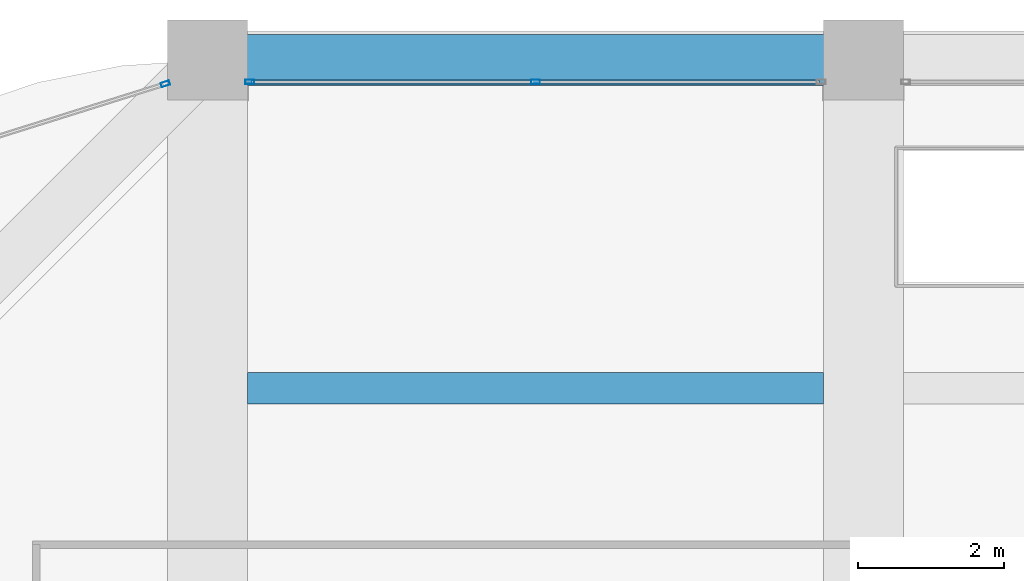
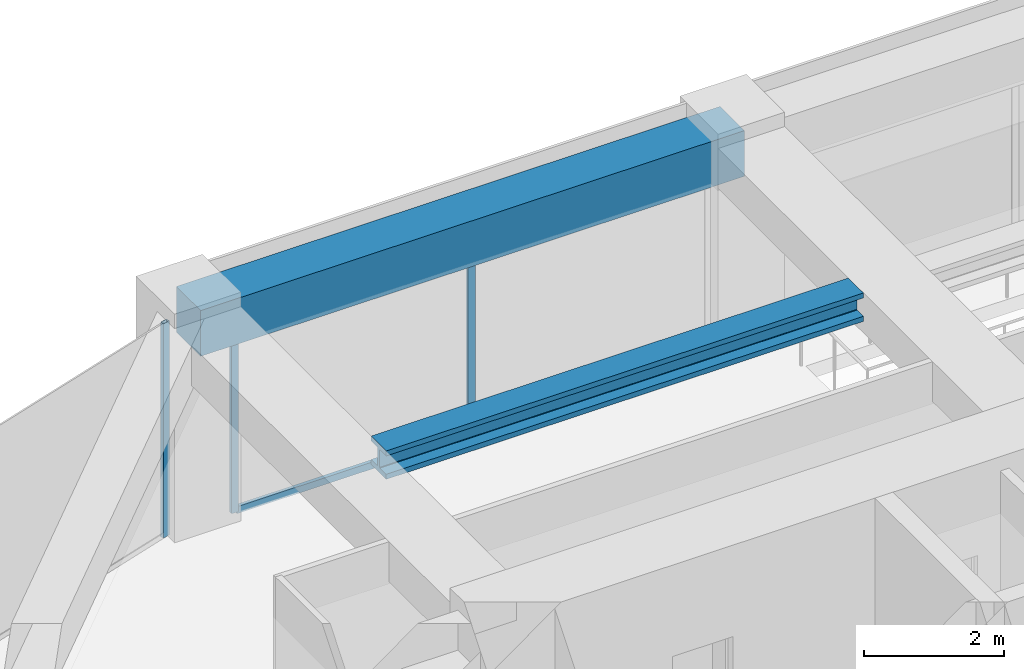
# One storey, part 31 of 44: 4 members, 2 beams, 2 elements without a shape of their own.
"""IFC4 building model written with IfcOpenShell, lengths in metres."""

from ifc_helpers import new_model, si_unit, direction, frame, origin, origin_2d, place, context, subcontext, project, spatial, rectangle, hollow_rectangle, i_section, extrude, material, material_profile, profile_set, type_object, element, aggregate, save


model = new_model("IFC4")

# Units and contexts
model_context = context("Model", 3, precision=1e-05, world=origin(), true_north=direction((0.0, 1.0)))
body_context = subcontext(model_context, "Body", "Model", "MODEL_VIEW")
ifc_project = project(units=[si_unit("LENGTHUNIT", "METRE"), si_unit("AREAUNIT", "SQUARE_METRE"), si_unit("VOLUMEUNIT", "CUBIC_METRE"), si_unit("PLANEANGLEUNIT", "RADIAN"), si_unit("MASSUNIT", "GRAM", prefix="KILO")], contexts=[model_context])

# Site, building, storey
site_placement = place(None, origin())
site = spatial("IfcSite", under=ifc_project, at=site_placement, CompositionType="ELEMENT")
building_placement = place(site_placement, origin())
building = spatial("IfcBuilding", under=site, at=building_placement, Name="Zorevar Civic Tower", CompositionType="ELEMENT")
storey_placement = place(building_placement, frame((0.0, 0.0, 295.39990234375)))
storey = spatial("IfcBuildingStorey", under=building, at=storey_placement, Name="L72", CompositionType="ELEMENT", Elevation=295.39990234375)

# Curtain wall, members
ifc_material_1 = material(Name="Dark grey solar-control glass in black aluminium frame", Category="aluminium")
curtain_wall_type = type_object("IfcCurtainWallType", Name="Curtain wall CW5 top zone", PredefinedType="NOTDEFINED", material=ifc_material_1)
curtain_wall_1_placement = place(storey_placement, origin())
curtain_wall_1 = element("IfcCurtainWall", 1, at=curtain_wall_1_placement, inside=storey, type_object=curtain_wall_type, Name="CW5 L72", PredefinedType="NOTDEFINED")
ifc_material_2 = material(Name="Aluminium, black anodised", Category="aluminium")
ifc_material_profile_1 = material_profile(ifc_material_2, hollow_rectangle(XDim=0.06005859375, YDim=0.1201171875, WallThickness=0.0029296875, at=origin_2d()), Name="AL 120x60x3")
ifc_profile_set_1 = profile_set([ifc_material_profile_1], Name="Aluminium, black anodised")
member_type_1 = type_object("IfcMemberType", Name="CW5 mullion AL 120x60x3", PredefinedType="MULLION", material=ifc_profile_set_1)
member_1_placement = place(storey_placement, frame((18.580078125, 44.699951171875, 0.0), z_axis=(0.0, 0.0, 1.0), x_axis=(0.0, 1.0, 0.0)))
member_1 = element("IfcMember", 2, at=member_1_placement, type_object=member_type_1, Name="CW5 mullion 1", PredefinedType="MULLION", context=body_context, shape_type="SweptSolid", body=[
    extrude(hollow_rectangle(XDim=0.06005859375, YDim=0.1201171875, WallThickness=0.0029296875, at=origin_2d()), origin(), (0.0, 0.0, 1.0), 2.9501953125),
])
member_2_placement = place(storey_placement, frame((22.5, 44.699951171875, 0.06005859375), z_axis=(0.0, 0.0, 1.0), x_axis=(0.0, 1.0, 0.0)))
member_2 = element("IfcMember", 3, at=member_2_placement, type_object=member_type_1, Name="CW5 mullion 2", PredefinedType="MULLION", context=body_context, shape_type="SweptSolid", body=[
    extrude(hollow_rectangle(XDim=0.06005859375, YDim=0.1201171875, WallThickness=0.0029296875, at=origin_2d()), origin(), (0.0, 0.0, 1.0), 2.89013671875),
])

# Curtain wall, member
curtain_wall_2_placement = place(storey_placement, origin())
curtain_wall_2 = element("IfcCurtainWall", 4, at=curtain_wall_2_placement, inside=storey, type_object=curtain_wall_type, Name="CW5 L72", PredefinedType="NOTDEFINED")
member_3_placement = place(storey_placement, frame((17.42138671875, 44.673583984375, 0.0), z_axis=(0.0, 0.0, 1.0), x_axis=(0.299317920238, -0.954153437674, 0.0)))
member_3 = element("IfcMember", 5, at=member_3_placement, type_object=member_type_1, Name="CW5 mullion 1", PredefinedType="MULLION", context=body_context, shape_type="SweptSolid", body=[
    extrude(hollow_rectangle(XDim=0.06005859375, YDim=0.1201171875, WallThickness=0.0029296875, at=origin_2d()), origin(), (0.0, 0.0, 1.0), 3.75),
])
aggregate(curtain_wall_2, [member_3])

# Member
ifc_material_3 = material(Name="Aluminium, black anodised", Category="aluminium")
ifc_material_profile_2 = material_profile(ifc_material_3, hollow_rectangle(XDim=0.06005859375, YDim=0.1201171875, WallThickness=0.0029296875, at=origin_2d()), Name="AL 120x60x3")
ifc_profile_set_2 = profile_set([ifc_material_profile_2], Name="Aluminium, black anodised")
member_type_2 = type_object("IfcMemberType", Name="CW5 transom AL 120x60x3", PredefinedType="USERDEFINED", material=ifc_profile_set_2)
member_4_placement = place(storey_placement, frame((18.610107421875, 44.699951171875, 0.030029296875), z_axis=(1.0, 0.0, 0.0), x_axis=(0.0, 1.0, 0.0)))
member_4 = element("IfcMember", 6, at=member_4_placement, type_object=member_type_2, Name="CW5 sill transom", ObjectType="TRANSOM", PredefinedType="USERDEFINED", context=body_context, shape_type="SweptSolid", body=[
    extrude(hollow_rectangle(XDim=0.06005859375, YDim=0.1201171875, WallThickness=0.0029296875, at=origin_2d()), origin(), (0.0, 0.0, 1.0), 7.77978515625),
])

aggregate(curtain_wall_1, [member_1, member_2, member_4])

# Beams
ifc_material_4 = material(Name="Steel S460M (HISTAR 460)", Category="steel")
ifc_material_profile_3 = material_profile(ifc_material_4, i_section(OverallWidth=0.431884765625, OverallDepth=0.498046875, WebThickness=0.0556640625, FlangeThickness=0.0888671875, FilletRadius=0.014892578125, at=origin_2d()), Name="HD 400x744")
ifc_profile_set_3 = profile_set([ifc_material_profile_3], Name="Steel S460M (HISTAR 460)")
beam_type_1 = type_object("IfcBeamType", Name="Core bay beam HD 400x744", PredefinedType="BEAM", material=ifc_profile_set_3)
beam_1_placement = place(storey_placement, frame((18.550048828125, 40.5, 3.5009765625), z_axis=(1.0, 0.0, 0.0), x_axis=(0.0, 1.0, 0.0)))
element("IfcBeam", 7, at=beam_1_placement, inside=storey, type_object=beam_type_1, Name="Secondary beam L73", PredefinedType="BEAM", context=body_context, shape_type="SweptSolid", body=[
    extrude(i_section(OverallWidth=0.431884765625, OverallDepth=0.498046875, WebThickness=0.0556640625, FlangeThickness=0.0888671875, FilletRadius=0.014892578125, at=origin_2d()), origin(), (0.0, 0.0, 1.0), 7.89990234375),
])
ifc_material_5 = material(Name="Concrete C50/60", Category="concrete")
ifc_material_profile_4 = material_profile(ifc_material_5, rectangle(XDim=0.699951171875, YDim=0.800048828125, at=origin_2d()), Name="RC 700x800")
ifc_profile_set_4 = profile_set([ifc_material_profile_4], Name="Concrete C50/60")
beam_type_2 = type_object("IfcBeamType", Name="Edge beam RC 700x800", PredefinedType="SPANDREL", material=ifc_profile_set_4)
beam_2_placement = place(storey_placement, frame((18.0, 45.0, 3.35009765625), z_axis=(1.0, 0.0, 0.0), x_axis=(0.0, 1.0, 0.0)))
element("IfcBeam", 8, at=beam_2_placement, inside=storey, type_object=beam_type_2, Name="Edge beam L73", PredefinedType="SPANDREL", context=body_context, shape_type="SweptSolid", body=[
    extrude(rectangle(XDim=0.699951171875, YDim=0.800048828125, at=origin_2d()), origin(), (0.0, 0.0, 1.0), 9.0),
])

save(model, "model.ifc")
